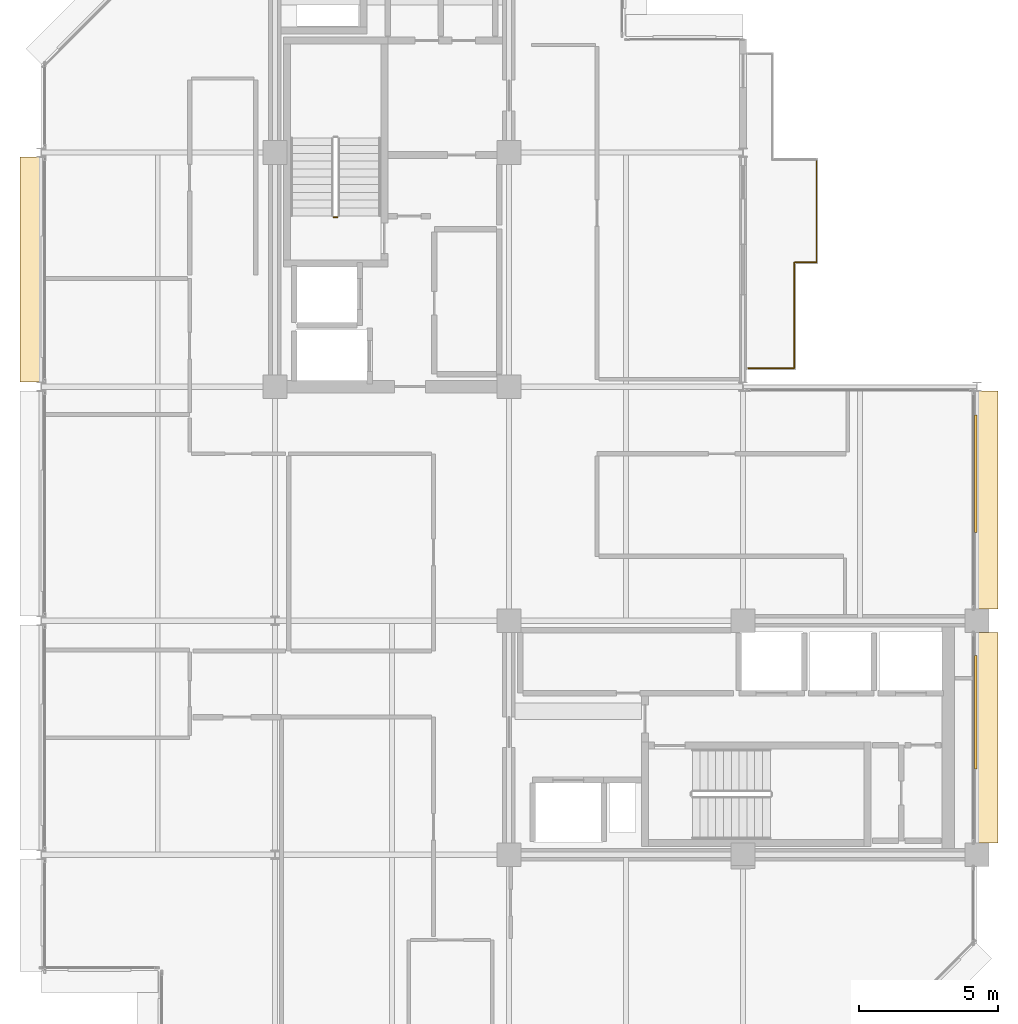
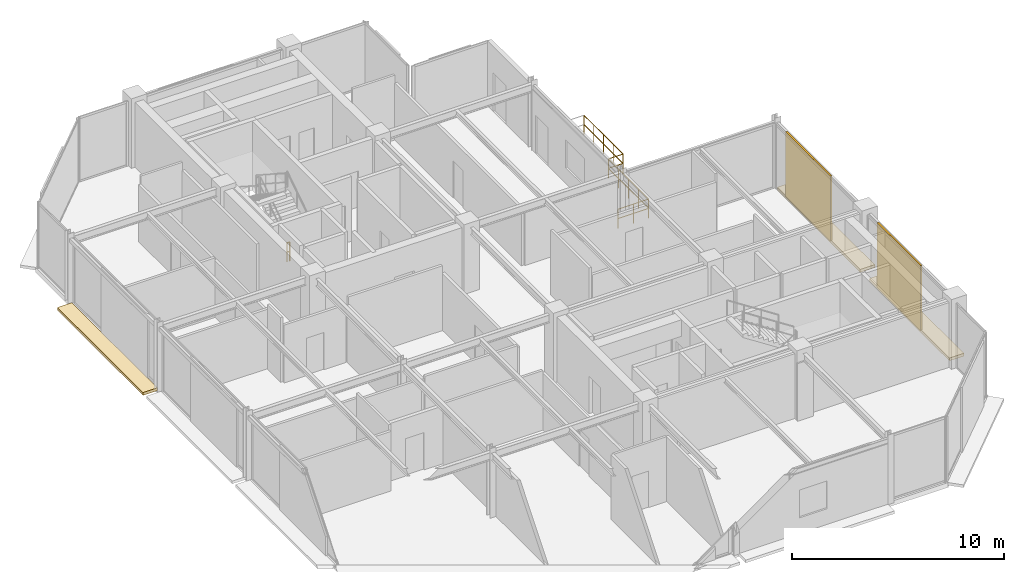
# One storey, part 24 of 25: 5 coverings, 5 railings.
"""IFC4 building model written with IfcOpenShell, lengths in metres."""

from ifc_helpers import new_model, si_unit, direction, frame, origin, origin_2d, place, context, subcontext, project, spatial, polyline, rectangle, circle, outline, extrude, material, layer, layer_set, type_object, element, save


model = new_model("IFC4")

# Units and contexts
model_context = context("Model", 3, precision=1e-05, world=origin(), true_north=direction((0.0, 1.0)))
body_context = subcontext(model_context, "Body", "Model", "MODEL_VIEW")
ifc_project = project(units=[si_unit("LENGTHUNIT", "METRE"), si_unit("AREAUNIT", "SQUARE_METRE"), si_unit("VOLUMEUNIT", "CUBIC_METRE"), si_unit("PLANEANGLEUNIT", "RADIAN"), si_unit("MASSUNIT", "GRAM", prefix="KILO")], contexts=[model_context])

# Site, building, storey
site_placement = place(None, origin())
site = spatial("IfcSite", under=ifc_project, at=site_placement, CompositionType="ELEMENT")
building_placement = place(site_placement, origin())
building = spatial("IfcBuilding", under=site, at=building_placement, Name="Nerrivon Quay Data Exchange", CompositionType="ELEMENT")
storey_placement = place(building_placement, frame((0.0, 0.0, 302.199951171875)))
storey = spatial("IfcBuildingStorey", under=building, at=storey_placement, Name="L72", CompositionType="ELEMENT", Elevation=302.199951171875)

# Coverings
ifc_material_1 = material(Name="Architectural terracotta ceramic", Category="masonry")
ifc_layer_1 = layer(ifc_material_1, 0.159912109375)
ifc_layer_set_1 = layer_set([ifc_layer_1], Name="Architectural terracotta ceramic")
covering_type_1 = type_object("IfcCoveringType", Name="COV-BLD-TERR", PredefinedType="CLADDING", material=ifc_layer_set_1)
covering_1_placement = place(storey_placement, frame((0.0, 0.0, -0.159912109375)))
element("IfcCovering", 1, at=covering_1_placement, inside=storey, type_object=covering_type_1, Name="L72 Horizontal Terracotta SOLAR SCREEN Blade", PredefinedType="CLADDING", context=body_context, shape_type="SweptSolid", body=[
    extrude(outline(polyline([(0.0400390625, 25.363525390625), (0.0400390625, 33.4365234375), (-0.75, 33.4365234375), (-0.75, 25.363525390625), (0.0400390625, 25.363525390625)])), origin(), (0.0, 0.0, 1.0), 0.159912109375),
])
covering_2_placement = place(storey_placement, frame((0.0, 0.0, -0.159912109375)))
element("IfcCovering", 2, at=covering_2_placement, inside=storey, type_object=covering_type_1, Name="L72 Horizontal Terracotta SOLAR SCREEN Blade", PredefinedType="CLADDING", context=body_context, shape_type="SweptSolid", body=[
    extrude(outline(polyline([(33.56005859375, 25.03662109375), (33.56005859375, 17.22509765625), (34.35009765625, 17.22509765625), (34.35009765625, 25.03662109375), (33.56005859375, 25.03662109375)])), origin(), (0.0, 0.0, 1.0), 0.159912109375),
])
covering_3_placement = place(storey_placement, frame((0.0, 0.0, -0.159912109375)))
element("IfcCovering", 3, at=covering_3_placement, inside=storey, type_object=covering_type_1, Name="L72 Horizontal Terracotta SOLAR SCREEN Blade", PredefinedType="CLADDING", context=body_context, shape_type="SweptSolid", body=[
    extrude(outline(polyline([(33.56005859375, 16.375), (33.56005859375, 8.824951171875), (34.35009765625, 8.824951171875), (34.35009765625, 16.375), (33.56005859375, 16.375)])), origin(), (0.0, 0.0, 1.0), 0.159912109375),
])
ifc_layer_2 = layer(ifc_material_1, 0.090087890625)
ifc_layer_set_2 = layer_set([ifc_layer_2], Name="Architectural terracotta ceramic")
covering_type_2 = type_object("IfcCoveringType", Name="COV-SCR-TERR", PredefinedType="CLADDING", material=ifc_layer_set_2)
covering_4_placement = place(storey_placement, frame((33.554931640625, 22.068115234375, 0.0), z_axis=(0.0, 0.0, 1.0), x_axis=(0.0, -1.0, 0.0)))
element("IfcCovering", 4, at=covering_4_placement, inside=storey, type_object=covering_type_2, Name="L72 Perforated Terracotta SOLAR SCREEN Cassette", PredefinedType="CLADDING", context=body_context, shape_type="SweptSolid", body=[
    extrude(rectangle(XDim=4.218017578125, YDim=0.090087890625, at=origin_2d()), origin(), (0.0, 0.0, 1.0), 3.72509765625),
])
covering_5_placement = place(storey_placement, frame((33.554931640625, 13.506103515625, 0.0), z_axis=(0.0, 0.0, 1.0), x_axis=(0.0, -1.0, 0.0)))
element("IfcCovering", 5, at=covering_5_placement, inside=storey, type_object=covering_type_2, Name="L72 Perforated Terracotta SOLAR SCREEN Cassette", PredefinedType="CLADDING", context=body_context, shape_type="SweptSolid", body=[
    extrude(rectangle(XDim=4.076904296875, YDim=0.090087890625, at=origin_2d()), origin(), (0.0, 0.0, 1.0), 3.72509765625),
])

# Railings
ifc_material_2 = material(Name="Steel Grade C350L0 (350 MPa)", Category="steel")
railing_type_1 = type_object("IfcRailingType", Name="RAIL-GUARD-GR2", PredefinedType="BALUSTRADE", material=ifc_material_2)
railing_1_placement = place(storey_placement, frame((27.0400390625, 29.659912109375, 0.0)))
element("IfcRailing", 6, at=railing_1_placement, inside=storey, type_object=railing_type_1, Name="L72 Verandah Balcony Guard 1.1 1", PredefinedType="BALUSTRADE", context=body_context, shape_type="SweptSolid", body=[
    extrude(circle(Radius=0.02392578125, at=origin_2d()), frame((0.0, 0.0, 1.09619140625), z_axis=(0.0, -1.0, 0.0), x_axis=(1.0, 0.0, 0.0)), (0.0, 0.0, 1.0), 3.7998046875),
    extrude(circle(Radius=0.02392578125, at=origin_2d()), frame((0.0, 0.0, 0.56005859375), z_axis=(0.0, -1.0, 0.0), x_axis=(1.0, 0.0, 0.0)), (0.0, 0.0, 1.0), 3.7998046875),
    extrude(circle(Radius=0.02099609375, at=origin_2d()), origin(), (0.0, 0.0, 1.0), 1.072021484375),
    extrude(circle(Radius=0.02099609375, at=origin_2d()), frame((0.0, -0.949951171875, 0.0)), (0.0, 0.0, 1.0), 1.072021484375),
    extrude(circle(Radius=0.02099609375, at=origin_2d()), frame((0.0, -1.89990234375, 0.0)), (0.0, 0.0, 1.0), 1.072021484375),
    extrude(circle(Radius=0.02099609375, at=origin_2d()), frame((0.0, -2.849853515625, 0.0)), (0.0, 0.0, 1.0), 1.072021484375),
    extrude(circle(Radius=0.02099609375, at=origin_2d()), frame((0.0, -3.7998046875, 0.0)), (0.0, 0.0, 1.0), 1.072021484375),
])
railing_2_placement = place(storey_placement, frame((27.0400390625, 25.860107421875, 0.0)))
element("IfcRailing", 7, at=railing_2_placement, inside=storey, type_object=railing_type_1, Name="L72 Verandah Balcony Guard 1.2 1", PredefinedType="BALUSTRADE", context=body_context, shape_type="SweptSolid", body=[
    extrude(circle(Radius=0.02392578125, at=origin_2d()), frame((0.0, 0.0, 1.09619140625), z_axis=(-1.0, 0.0, 0.0), x_axis=(0.0, -1.0, 0.0)), (0.0, 0.0, 1.0), 1.66015625),
    extrude(circle(Radius=0.02392578125, at=origin_2d()), frame((0.0, 0.0, 0.56005859375), z_axis=(-1.0, 0.0, 0.0), x_axis=(0.0, -1.0, 0.0)), (0.0, 0.0, 1.0), 1.66015625),
    extrude(circle(Radius=0.02099609375, at=origin_2d()), origin(), (0.0, 0.0, 1.0), 1.072021484375),
    extrude(circle(Radius=0.02099609375, at=origin_2d()), frame((-0.830078125, 0.0, 0.0)), (0.0, 0.0, 1.0), 1.072021484375),
    extrude(circle(Radius=0.02099609375, at=origin_2d()), frame((-1.66015625, 0.0, 0.0)), (0.0, 0.0, 1.0), 1.072021484375),
])
railing_3_placement = place(storey_placement, frame((27.840087890625, 33.340087890625, 0.0)))
element("IfcRailing", 8, at=railing_3_placement, inside=storey, type_object=railing_type_1, Name="L72 Verandah Balcony Guard 1.6 1", PredefinedType="BALUSTRADE", context=body_context, shape_type="SweptSolid", body=[
    extrude(circle(Radius=0.02392578125, at=origin_2d()), frame((0.0, 0.0, 1.09619140625), z_axis=(0.0, -1.0, 0.0), x_axis=(1.0, 0.0, 0.0)), (0.0, 0.0, 1.0), 3.68017578125),
    extrude(circle(Radius=0.02392578125, at=origin_2d()), frame((0.0, 0.0, 0.56005859375), z_axis=(0.0, -1.0, 0.0), x_axis=(1.0, 0.0, 0.0)), (0.0, 0.0, 1.0), 3.68017578125),
    extrude(circle(Radius=0.02099609375, at=origin_2d()), origin(), (0.0, 0.0, 1.0), 1.072021484375),
    extrude(circle(Radius=0.02099609375, at=origin_2d()), frame((0.0, -0.919921875, 0.0)), (0.0, 0.0, 1.0), 1.072021484375),
    extrude(circle(Radius=0.02099609375, at=origin_2d()), frame((0.0, -1.840087890625, 0.0)), (0.0, 0.0, 1.0), 1.072021484375),
    extrude(circle(Radius=0.02099609375, at=origin_2d()), frame((0.0, -2.76025390625, 0.0)), (0.0, 0.0, 1.0), 1.072021484375),
    extrude(circle(Radius=0.02099609375, at=origin_2d()), frame((0.0, -3.68017578125, 0.0)), (0.0, 0.0, 1.0), 1.072021484375),
])
railing_4_placement = place(storey_placement, frame((27.840087890625, 29.659912109375, 0.0)))
element("IfcRailing", 9, at=railing_4_placement, inside=storey, type_object=railing_type_1, Name="L72 Verandah Balcony Guard 1.7 1", PredefinedType="BALUSTRADE", context=body_context, shape_type="SweptSolid", body=[
    extrude(circle(Radius=0.02392578125, at=origin_2d()), frame((0.0, 0.0, 1.09619140625), z_axis=(-1.0, 0.0, 0.0), x_axis=(0.0, -1.0, 0.0)), (0.0, 0.0, 1.0), 0.800048828125),
    extrude(circle(Radius=0.02392578125, at=origin_2d()), frame((0.0, 0.0, 0.56005859375), z_axis=(-1.0, 0.0, 0.0), x_axis=(0.0, -1.0, 0.0)), (0.0, 0.0, 1.0), 0.800048828125),
    extrude(circle(Radius=0.02099609375, at=origin_2d()), origin(), (0.0, 0.0, 1.0), 1.072021484375),
    extrude(circle(Radius=0.02099609375, at=origin_2d()), frame((-0.800048828125, 0.0, 0.0)), (0.0, 0.0, 1.0), 1.072021484375),
])
railing_type_2 = type_object("IfcRailingType", Name="RAIL-STAIR-GR1", PredefinedType="BALUSTRADE", material=ifc_material_2)
railing_5_placement = place(storey_placement, frame((10.64990234375, 31.280029296875, 0.0)))
element("IfcRailing", 10, at=railing_5_placement, inside=storey, type_object=railing_type_2, Name="L72 ST01 stair guard 4", PredefinedType="BALUSTRADE", context=body_context, shape_type="SweptSolid", body=[
    extrude(circle(Radius=0.02392578125, at=origin_2d()), frame((0.0, 0.0, 1.076171875), z_axis=(-1.0, 0.0, 0.0), x_axis=(0.0, -1.0, 0.0)), (0.0, 0.0, 1.0), 0.14990234375),
    extrude(circle(Radius=0.02392578125, at=origin_2d()), frame((0.0, 0.0, 0.550048828125), z_axis=(-1.0, 0.0, 0.0), x_axis=(0.0, -1.0, 0.0)), (0.0, 0.0, 1.0), 0.14990234375),
    extrude(circle(Radius=0.02099609375, at=origin_2d()), origin(), (0.0, 0.0, 1.0), 1.052001953125),
    extrude(circle(Radius=0.02099609375, at=origin_2d()), frame((-0.14990234375, 0.0, 0.0)), (0.0, 0.0, 1.0), 1.052001953125),
])

save(model, "model.ifc")
